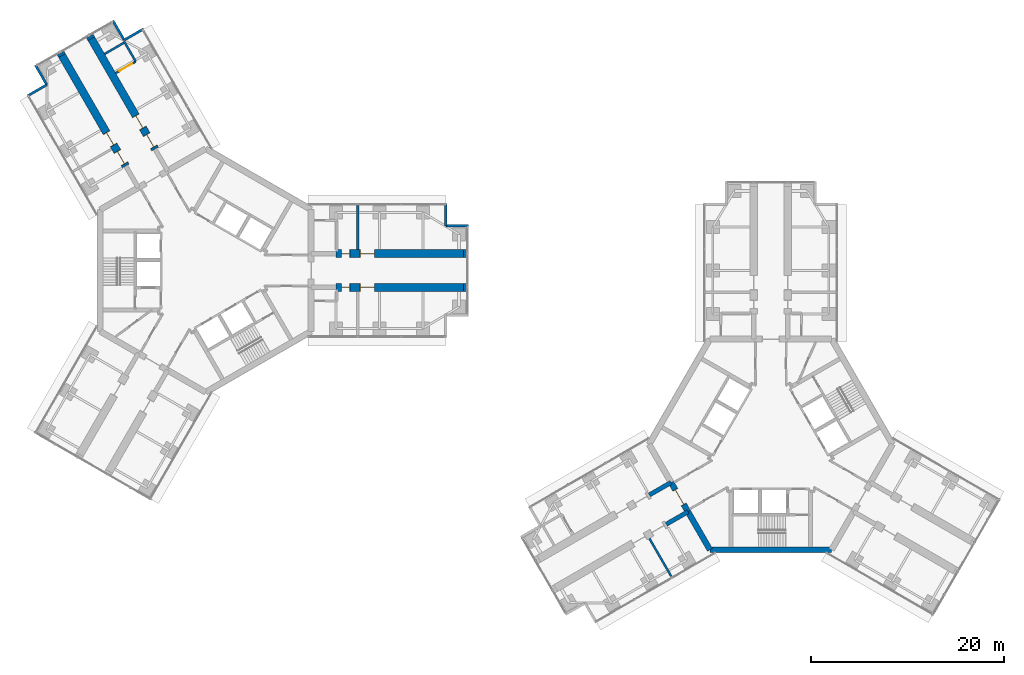
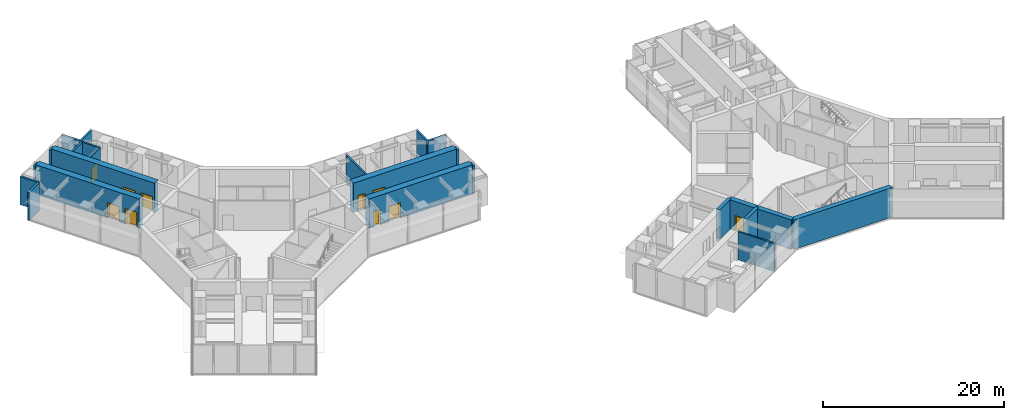
# One storey, part 17 of 21: 24 walls, 10 doors, 10 openings.
"""IFC4 building model written with IfcOpenShell, lengths in metres."""

from ifc_helpers import new_model, si_unit, direction, frame, frame_2d, origin, place, context, subcontext, project, spatial, rectangle, extrude, material, layer, layer_set, type_object, element, fill, save


model = new_model("IFC4")

# Units and contexts
model_context = context("Model", 3, precision=1e-05, world=origin(), true_north=direction((0.0, 1.0)))
body_context = subcontext(model_context, "Body", "Model", "MODEL_VIEW")
ifc_project = project(units=[si_unit("LENGTHUNIT", "METRE"), si_unit("AREAUNIT", "SQUARE_METRE"), si_unit("VOLUMEUNIT", "CUBIC_METRE"), si_unit("PLANEANGLEUNIT", "RADIAN"), si_unit("MASSUNIT", "GRAM", prefix="KILO")], contexts=[model_context])

# Site, building, storey
site_placement = place(None, origin())
site = spatial("IfcSite", under=ifc_project, at=site_placement, CompositionType="ELEMENT")
building_placement = place(site_placement, origin())
building = spatial("IfcBuilding", under=site, at=building_placement, Name="Upepo Twin Towers", CompositionType="ELEMENT")
storey_placement = place(building_placement, frame((0.0, 0.0, 105.5)))
storey = spatial("IfcBuildingStorey", under=building, at=storey_placement, Name="L25", CompositionType="ELEMENT", Elevation=105.5)

# Walls
ifc_material_1 = material(Name="Concrete blockwork, plastered both faces", Category="masonry")
ifc_layer_1 = layer(ifc_material_1, 0.215087890625)
ifc_layer_set_1 = layer_set([ifc_layer_1], Name="Blockwork partition 215")
wall_type_1 = type_object("IfcWallType", Name="Blockwork partition 215", PredefinedType="PARTITIONING", material=ifc_layer_set_1)
wall_1_placement = place(storey_placement, frame((15.75, 2.14990234375, 0.0), z_axis=(0.0, 0.0, 1.0), x_axis=(0.0, 1.0, 0.0)))
element("IfcWall", 1, at=wall_1_placement, inside=storey, type_object=wall_type_1, Name="T1 partition AL at 15.75", PredefinedType="PARTITIONING", context=body_context, shape_type="SweptSolid", body=[
    extrude(rectangle(XDim=4.60009765625, YDim=0.215087890625, at=frame_2d((2.300048828125, 0.0))), origin(), (0.0, 0.0, 1.0), 3.800048828125),
])
wall_2_placement = place(storey_placement, frame((-7.234619140625, 21.630615234375, 0.0), z_axis=(0.0, 0.0, 1.0), x_axis=(-0.499957262057, 0.866050077142, 0.0)))
element("IfcWall", 2, at=wall_2_placement, inside=storey, type_object=wall_type_1, Name="T1 inner room partition BR at 22.35", PredefinedType="PARTITIONING", context=body_context, shape_type="SweptSolid", body=[
    extrude(rectangle(XDim=2.400146484375, YDim=0.215087890625, at=frame_2d((1.2001953125, 0.0))), origin(), (0.0, 0.0, 1.0), 3.800048828125),
])

# Wall, opening, door
wall_3_placement = place(storey_placement, frame((-9.31298828125, 20.4306640625, 0.0), z_axis=(0.0, 0.0, 1.0), x_axis=(0.866024647952, 0.500001309137, 0.0)))
wall_3 = element("IfcWall", 3, at=wall_3_placement, inside=storey, type_object=wall_type_1, Name="T1 inner room partition BR end at 22.35", PredefinedType="PARTITIONING", context=body_context, shape_type="SweptSolid", body=[
    extrude(rectangle(XDim=2.39990234375, YDim=0.215087890625, at=frame_2d((1.199951171875, 0.0))), origin(), (0.0, 0.0, 1.0), 3.800048828125),
])
opening_1_placement = place(wall_3_placement, frame((0.449951171875, 0.0, 0.0)))
opening_1 = element("IfcOpeningElement", 4, at=opening_1_placement, cuts=wall_3, Name="Opening D13", PredefinedType="OPENING", context=body_context, shape_type="SweptSolid", body=[
    extrude(rectangle(XDim=1.5, YDim=2.10009765625, at=frame_2d((0.75, 1.050048828125))), frame((0.0, 0.117431640625, 0.0), z_axis=(0.0, -1.0, 0.0), x_axis=(1.0, 0.0, 0.0)), (0.0, 0.0, 1.0), 0.235107421875),
])
ifc_material_2 = material(Name="Timber doorset", Category="wood")
door_type_1 = type_object("IfcDoorType", Name="Double door 1500 FD30", OperationType="DOUBLE_DOOR_SINGLE_SWING", PredefinedType="DOOR", material=ifc_material_2)
door_1_placement = place(opening_1_placement, origin())
door_1 = element("IfcDoor", 5, at=door_1_placement, inside=storey, type_object=door_type_1, Name="T1 L25 inner room door", OperationType="DOUBLE_DOOR_SINGLE_SWING", OverallHeight=2.10009765625, OverallWidth=1.5, PredefinedType="DOOR", context=body_context, shape_type="SweptSolid", body=[
    extrude(rectangle(XDim=1.5, YDim=2.10009765625, at=frame_2d((0.75, 1.050048828125))), frame((0.0, 0.02490234375, 0.0), z_axis=(0.0, -1.0, 0.0), x_axis=(1.0, 0.0, 0.0)), (0.0, 0.0, 1.0), 0.050048828125),
])
fill(opening_1, door_1)

# Walls
wall_4_placement = place(storey_placement, frame((-10.459228515625, 22.416015625, 0.0), z_axis=(0.0, 0.0, 1.0), x_axis=(0.866024647952, 0.500001309137, 0.0)))
element("IfcWall", 6, at=wall_4_placement, inside=storey, type_object=wall_type_1, Name="T1 inner room partition BR end at 24.75", PredefinedType="PARTITIONING", context=body_context, shape_type="SweptSolid", body=[
    extrude(rectangle(XDim=2.39990234375, YDim=0.215087890625, at=frame_2d((1.199951171875, 0.0))), origin(), (0.0, 0.0, 1.0), 3.800048828125),
])
wall_5_placement = place(storey_placement, frame((45.93505859375, -27.737060546875, 0.0), z_axis=(0.0, 0.0, 1.0), x_axis=(0.500014953309, -0.866016770315, 0.0)))
element("IfcWall", 7, at=wall_5_placement, inside=storey, type_object=wall_type_1, Name="T2 partition BL at 15.75", PredefinedType="PARTITIONING", context=body_context, shape_type="SweptSolid", body=[
    extrude(rectangle(XDim=4.599853515625, YDim=0.215087890625, at=frame_2d((2.2998046875, 0.0))), origin(), (0.0, 0.0, 1.0), 3.800048828125),
])
ifc_material_3 = material(Name="Dense concrete blockwork", Category="masonry")
ifc_layer_2 = layer(ifc_material_3, 0.800048828125)
ifc_layer_set_2 = layer_set([ifc_layer_2], Name="Buttress closer 800, blockwork with fire-stopping to the curtain wall")
wall_type_2 = type_object("IfcWallType", Name="Buttress closer 800, blockwork with fire-stopping to the curtain wall", PredefinedType="PARTITIONING", material=ifc_layer_set_2)
for number, where, z_axis, x_axis, name in (
    (8, (26.699951171875, 1.75, 0.0), (0.0, 0.0, 1.0), (1.0, 0.0, 0.0), "T1 L25 wing A buttress closer L"),
    (9, (26.699951171875, -1.75, 0.0), (0.0, 0.0, 1.0), (1.0, 0.0, 0.0), "T1 L25 wing A buttress closer R"),
    (10, (-14.865478515625, 22.247802734375, 0.0), (0.0, 0.0, 1.0), (-0.500426713919, 0.865778900179, 0.0), "T1 L25 wing B buttress closer L"),
):
    element("IfcWall", number, at=place(storey_placement, frame(where, z_axis=z_axis, x_axis=x_axis)), inside=storey, type_object=wall_type_2, Name=name, PredefinedType="PARTITIONING", context=body_context, shape_type="SweptSolid", body=[
        extrude(rectangle(XDim=0.300048828125, YDim=0.800048828125, at=frame_2d((0.14990234375, 0.0))), origin(), (0.0, 0.0, 1.0), 3.800048828125),
    ])
wall_6_placement = place(storey_placement, frame((-11.83447265625, 23.997802734375, 0.0), z_axis=(0.0, 0.0, 1.0), x_axis=(-0.499816412211, 0.866131372301, 0.0)))
element("IfcWall", 11, at=wall_6_placement, inside=storey, type_object=wall_type_2, Name="T1 L25 wing B buttress closer R", PredefinedType="PARTITIONING", context=body_context, shape_type="SweptSolid", body=[
    extrude(rectangle(XDim=0.2998046875, YDim=0.800048828125, at=frame_2d((0.14990234375, 0.0))), origin(), (0.0, 0.0, 1.0), 3.800048828125),
])
ifc_material_4 = material(Name="Concrete C60/75", Category="concrete")
ifc_layer_3 = layer(ifc_material_4, 0.449951171875)
ifc_layer_set_3 = layer_set([ifc_layer_3], Name="Concrete C60/75")
wall_type_3 = type_object("IfcWallType", Name="Buttress wall 450 RC", PredefinedType="SHEAR", material=ifc_layer_set_3)
for number, where, z_axis, x_axis, name in (
    (12, (49.92822265625, -24.9697265625, 0.0), (0.0, 0.0, 1.0), (-0.866031863473, -0.499988811324, 0.0), "T2 wing B buttress wall L"),
    (13, (48.17822265625, -21.938720703125, 0.0), (0.0, 0.0, 1.0), (-0.866072649678, -0.499918158782, 0.0), "T2 wing B buttress wall R"),
):
    element("IfcWall", number, at=place(storey_placement, frame(where, z_axis=z_axis, x_axis=x_axis)), inside=storey, type_object=wall_type_3, Name=name, PredefinedType="SHEAR", context=body_context, shape_type="SweptSolid", body=[
        extrude(rectangle(XDim=2.591796875, YDim=0.449951171875, at=frame_2d((1.2958984375, 0.0))), origin(), (0.0, 0.0, 1.0), 4.0),
    ])

# Wall, openings, doors
ifc_material_5 = material(Name="Concrete C60/75", Category="concrete")
ifc_layer_4 = layer(ifc_material_5, 0.800048828125)
ifc_layer_set_4 = layer_set([ifc_layer_4], Name="Concrete C60/75")
wall_type_4 = type_object("IfcWallType", Name="Buttress wall 800 RC", PredefinedType="SHEAR", material=ifc_layer_set_4)
wall_7_placement = place(storey_placement, frame((13.5, 1.75, 0.0), z_axis=(0.0, 0.0, 1.0), x_axis=(1.0, 0.0, 0.0)))
wall_7 = element("IfcWall", 14, at=wall_7_placement, inside=storey, type_object=wall_type_4, Name="T1 wing A buttress wall L part 2", PredefinedType="SHEAR", context=body_context, shape_type="SweptSolid", body=[
    extrude(rectangle(XDim=13.199951171875, YDim=0.800048828125, at=frame_2d((6.60009765625, 0.0))), origin(), (0.0, 0.0, 1.0), 4.0),
])
opening_2_placement = place(wall_7_placement, frame((0.550048828125, 0.0, 0.0)))
opening_2 = element("IfcOpeningElement", 15, at=opening_2_placement, cuts=wall_7, Name="Opening D11", PredefinedType="OPENING", context=body_context, shape_type="SweptSolid", body=[
    extrude(rectangle(XDim=0.89990234375, YDim=2.10009765625, at=frame_2d((0.449951171875, 1.050048828125))), frame((0.0, 0.409912109375, 0.0), z_axis=(0.0, -1.0, 0.0), x_axis=(1.0, 0.0, 0.0)), (0.0, 0.0, 1.0), 0.820068359375),
])
opening_3_placement = place(wall_7_placement, frame((2.5, 0.0, 0.0)))
opening_3 = element("IfcOpeningElement", 16, at=opening_3_placement, cuts=wall_7, Name="Opening D13", PredefinedType="OPENING", context=body_context, shape_type="SweptSolid", body=[
    extrude(rectangle(XDim=1.5, YDim=2.10009765625, at=frame_2d((0.75, 1.050048828125))), frame((0.0, 0.409912109375, 0.0), z_axis=(0.0, -1.0, 0.0), x_axis=(1.0, 0.0, 0.0)), (0.0, 0.0, 1.0), 0.820068359375),
])
door_2_placement = place(opening_3_placement, origin())
door_2 = element("IfcDoor", 17, at=door_2_placement, inside=storey, type_object=door_type_1, Name="T1 L25 research laboratory door", OperationType="DOUBLE_DOOR_SINGLE_SWING", OverallHeight=2.10009765625, OverallWidth=1.5, PredefinedType="DOOR", context=body_context, shape_type="SweptSolid", body=[
    extrude(rectangle(XDim=1.42, YDim=2.06009765625, at=frame_2d((0.75, 1.030029296875))), frame((0.0, 0.02490234375, 0.0), z_axis=(0.0, -1.0, 0.0), x_axis=(1.0, 0.0, 0.0)), (0.0, 0.0, 1.0), 0.050048828125),
    extrude(rectangle(XDim=0.04, YDim=2.10009765625, at=frame_2d((0.02001953125, 1.050048828125))), frame((0.0, 0.39990234375, 0.0), z_axis=(0.0, -1.0, 0.0), x_axis=(1.0, 0.0, 0.0)), (0.0, 0.0, 1.0), 0.799560546875),
    extrude(rectangle(XDim=0.04, YDim=2.10009765625, at=frame_2d((1.47998046875, 1.050048828125))), frame((0.0, 0.39990234375, 0.0), z_axis=(0.0, -1.0, 0.0), x_axis=(1.0, 0.0, 0.0)), (0.0, 0.0, 1.0), 0.799560546875),
    extrude(rectangle(XDim=1.42, YDim=0.04, at=frame_2d((0.75, 2.080078125))), frame((0.0, 0.39990234375, 0.0), z_axis=(0.0, -1.0, 0.0), x_axis=(1.0, 0.0, 0.0)), (0.0, 0.0, 1.0), 0.799560546875),
])
fill(opening_3, door_2)
ifc_material_6 = material(Name="Timber doorset", Category="wood")
door_type_2 = type_object("IfcDoorType", Name="Toilet door 900", OperationType="SINGLE_SWING_LEFT", PredefinedType="DOOR", material=ifc_material_6)
door_3_placement = place(opening_2_placement, origin())
door_3 = element("IfcDoor", 18, at=door_3_placement, inside=storey, type_object=door_type_2, Name="T1 L25 accessible wc door", OperationType="SINGLE_SWING_LEFT", OverallHeight=2.10009765625, OverallWidth=0.89990234375, PredefinedType="DOOR", context=body_context, shape_type="SweptSolid", body=[
    extrude(rectangle(XDim=0.81990234375, YDim=2.06009765625, at=frame_2d((0.449951171875, 1.030029296875))), frame((0.0, 0.02490234375, 0.0), z_axis=(0.0, -1.0, 0.0), x_axis=(1.0, 0.0, 0.0)), (0.0, 0.0, 1.0), 0.050048828125),
    extrude(rectangle(XDim=0.04, YDim=2.10009765625, at=frame_2d((0.02001953125, 1.050048828125))), frame((0.0, 0.39990234375, 0.0), z_axis=(0.0, -1.0, 0.0), x_axis=(1.0, 0.0, 0.0)), (0.0, 0.0, 1.0), 0.799560546875),
    extrude(rectangle(XDim=0.04, YDim=2.10009765625, at=frame_2d((0.8798828125, 1.050048828125))), frame((0.0, 0.39990234375, 0.0), z_axis=(0.0, -1.0, 0.0), x_axis=(1.0, 0.0, 0.0)), (0.0, 0.0, 1.0), 0.799560546875),
    extrude(rectangle(XDim=0.81990234375, YDim=0.04, at=frame_2d((0.449951171875, 2.080078125))), frame((0.0, 0.39990234375, 0.0), z_axis=(0.0, -1.0, 0.0), x_axis=(1.0, 0.0, 0.0)), (0.0, 0.0, 1.0), 0.799560546875),
])
fill(opening_2, door_3)

wall_8_placement = place(storey_placement, frame((13.5, -1.75, 0.0), z_axis=(0.0, 0.0, 1.0), x_axis=(1.0, 0.0, 0.0)))
wall_8 = element("IfcWall", 19, at=wall_8_placement, inside=storey, type_object=wall_type_4, Name="T1 wing A buttress wall R part 2", PredefinedType="SHEAR", context=body_context, shape_type="SweptSolid", body=[
    extrude(rectangle(XDim=13.199951171875, YDim=0.800048828125, at=frame_2d((6.60009765625, 0.0))), origin(), (0.0, 0.0, 1.0), 4.0),
])
opening_4_placement = place(wall_8_placement, frame((0.550048828125, 0.0, 0.0)))
opening_4 = element("IfcOpeningElement", 20, at=opening_4_placement, cuts=wall_8, Name="Opening D11", PredefinedType="OPENING", context=body_context, shape_type="SweptSolid", body=[
    extrude(rectangle(XDim=0.89990234375, YDim=2.10009765625, at=frame_2d((0.449951171875, 1.050048828125))), frame((0.0, 0.409912109375, 0.0), z_axis=(0.0, -1.0, 0.0), x_axis=(1.0, 0.0, 0.0)), (0.0, 0.0, 1.0), 0.820068359375),
])
opening_5_placement = place(wall_8_placement, frame((2.5, 0.0, 0.0)))
opening_5 = element("IfcOpeningElement", 21, at=opening_5_placement, cuts=wall_8, Name="Opening D13", PredefinedType="OPENING", context=body_context, shape_type="SweptSolid", body=[
    extrude(rectangle(XDim=1.5, YDim=2.10009765625, at=frame_2d((0.75, 1.050048828125))), frame((0.0, 0.409912109375, 0.0), z_axis=(0.0, -1.0, 0.0), x_axis=(1.0, 0.0, 0.0)), (0.0, 0.0, 1.0), 0.820068359375),
])
door_4_placement = place(opening_5_placement, origin())
door_4 = element("IfcDoor", 22, at=door_4_placement, inside=storey, type_object=door_type_1, Name="T1 L25 research laboratory door", OperationType="DOUBLE_DOOR_SINGLE_SWING", OverallHeight=2.10009765625, OverallWidth=1.5, PredefinedType="DOOR", context=body_context, shape_type="SweptSolid", body=[
    extrude(rectangle(XDim=1.42, YDim=2.06009765625, at=frame_2d((0.75, 1.030029296875))), frame((0.0, 0.02490234375, 0.0), z_axis=(0.0, -1.0, 0.0), x_axis=(1.0, 0.0, 0.0)), (0.0, 0.0, 1.0), 0.050048828125),
    extrude(rectangle(XDim=0.04, YDim=2.10009765625, at=frame_2d((0.02001953125, 1.050048828125))), frame((0.0, 0.39990234375, 0.0), z_axis=(0.0, -1.0, 0.0), x_axis=(1.0, 0.0, 0.0)), (0.0, 0.0, 1.0), 0.799560546875),
    extrude(rectangle(XDim=0.04, YDim=2.10009765625, at=frame_2d((1.47998046875, 1.050048828125))), frame((0.0, 0.39990234375, 0.0), z_axis=(0.0, -1.0, 0.0), x_axis=(1.0, 0.0, 0.0)), (0.0, 0.0, 1.0), 0.799560546875),
    extrude(rectangle(XDim=1.42, YDim=0.04, at=frame_2d((0.75, 2.080078125))), frame((0.0, 0.39990234375, 0.0), z_axis=(0.0, -1.0, 0.0), x_axis=(1.0, 0.0, 0.0)), (0.0, 0.0, 1.0), 0.799560546875),
])
fill(opening_5, door_4)
door_5_placement = place(opening_4_placement, origin())
door_5 = element("IfcDoor", 23, at=door_5_placement, inside=storey, type_object=door_type_2, Name="T1 L25 toilets door", OperationType="SINGLE_SWING_LEFT", OverallHeight=2.10009765625, OverallWidth=0.89990234375, PredefinedType="DOOR", context=body_context, shape_type="SweptSolid", body=[
    extrude(rectangle(XDim=0.81990234375, YDim=2.06009765625, at=frame_2d((0.449951171875, 1.030029296875))), frame((0.0, 0.02490234375, 0.0), z_axis=(0.0, -1.0, 0.0), x_axis=(1.0, 0.0, 0.0)), (0.0, 0.0, 1.0), 0.050048828125),
    extrude(rectangle(XDim=0.04, YDim=2.10009765625, at=frame_2d((0.02001953125, 1.050048828125))), frame((0.0, 0.39990234375, 0.0), z_axis=(0.0, -1.0, 0.0), x_axis=(1.0, 0.0, 0.0)), (0.0, 0.0, 1.0), 0.799560546875),
    extrude(rectangle(XDim=0.04, YDim=2.10009765625, at=frame_2d((0.8798828125, 1.050048828125))), frame((0.0, 0.39990234375, 0.0), z_axis=(0.0, -1.0, 0.0), x_axis=(1.0, 0.0, 0.0)), (0.0, 0.0, 1.0), 0.799560546875),
    extrude(rectangle(XDim=0.81990234375, YDim=0.04, at=frame_2d((0.449951171875, 2.080078125))), frame((0.0, 0.39990234375, 0.0), z_axis=(0.0, -1.0, 0.0), x_axis=(1.0, 0.0, 0.0)), (0.0, 0.0, 1.0), 0.799560546875),
])
fill(opening_4, door_5)

wall_9_placement = place(storey_placement, frame((-8.265625, 10.81640625, 0.0), z_axis=(0.0, 0.0, 1.0), x_axis=(-0.499996231654, 0.866027579429, 0.0)))
wall_9 = element("IfcWall", 24, at=wall_9_placement, inside=storey, type_object=wall_type_4, Name="T1 wing B buttress wall L part 2", PredefinedType="SHEAR", context=body_context, shape_type="SweptSolid", body=[
    extrude(rectangle(XDim=13.19970703125, YDim=0.800048828125, at=frame_2d((6.599853515625, 0.0))), origin(), (0.0, 0.0, 1.0), 4.0),
])
opening_6_placement = place(wall_9_placement, frame((0.25, 0.0, 0.0)))
opening_6 = element("IfcOpeningElement", 25, at=opening_6_placement, cuts=wall_9, Name="Opening D13", PredefinedType="OPENING", context=body_context, shape_type="SweptSolid", body=[
    extrude(rectangle(XDim=1.5, YDim=2.10009765625, at=frame_2d((0.75, 1.050048828125))), frame((0.0, 0.409912109375, 0.0), z_axis=(0.0, -1.0, 0.0), x_axis=(1.0, 0.0, 0.0)), (0.0, 0.0, 1.0), 0.820068359375),
])
opening_7_placement = place(wall_9_placement, frame((2.5, 0.0, 0.0)))
opening_7 = element("IfcOpeningElement", 26, at=opening_7_placement, cuts=wall_9, Name="Opening D13", PredefinedType="OPENING", context=body_context, shape_type="SweptSolid", body=[
    extrude(rectangle(XDim=1.5, YDim=2.10009765625, at=frame_2d((0.75, 1.050048828125))), frame((0.0, 0.409912109375, 0.0), z_axis=(0.0, -1.0, 0.0), x_axis=(1.0, 0.0, 0.0)), (0.0, 0.0, 1.0), 0.820068359375),
])
door_6_placement = place(opening_6_placement, origin())
door_6 = element("IfcDoor", 27, at=door_6_placement, inside=storey, type_object=door_type_1, Name="T1 L25 instrument room door", OperationType="DOUBLE_DOOR_SINGLE_SWING", OverallHeight=2.10009765625, OverallWidth=1.5, PredefinedType="DOOR", context=body_context, shape_type="SweptSolid", body=[
    extrude(rectangle(XDim=1.42, YDim=2.06009765625, at=frame_2d((0.75, 1.030029296875))), frame((0.0, 0.02490234375, 0.0), z_axis=(0.0, -1.0, 0.0), x_axis=(1.0, 0.0, 0.0)), (0.0, 0.0, 1.0), 0.050048828125),
    extrude(rectangle(XDim=0.04, YDim=2.10009765625, at=frame_2d((0.02001953125, 1.050048828125))), frame((0.0, 0.39990234375, 0.0), z_axis=(0.0, -1.0, 0.0), x_axis=(1.0, 0.0, 0.0)), (0.0, 0.0, 1.0), 0.799560546875),
    extrude(rectangle(XDim=0.04, YDim=2.10009765625, at=frame_2d((1.47998046875, 1.050048828125))), frame((0.0, 0.39990234375, 0.0), z_axis=(0.0, -1.0, 0.0), x_axis=(1.0, 0.0, 0.0)), (0.0, 0.0, 1.0), 0.799560546875),
    extrude(rectangle(XDim=1.42, YDim=0.04, at=frame_2d((0.75, 2.080078125))), frame((0.0, 0.39990234375, 0.0), z_axis=(0.0, -1.0, 0.0), x_axis=(1.0, 0.0, 0.0)), (0.0, 0.0, 1.0), 0.799560546875),
])
fill(opening_6, door_6)
door_7_placement = place(opening_7_placement, origin())
door_7 = element("IfcDoor", 28, at=door_7_placement, inside=storey, type_object=door_type_1, Name="T1 L25 research laboratory door", OperationType="DOUBLE_DOOR_SINGLE_SWING", OverallHeight=2.10009765625, OverallWidth=1.5, PredefinedType="DOOR", context=body_context, shape_type="SweptSolid", body=[
    extrude(rectangle(XDim=1.42, YDim=2.06009765625, at=frame_2d((0.75, 1.030029296875))), frame((0.0, 0.02490234375, 0.0), z_axis=(0.0, -1.0, 0.0), x_axis=(1.0, 0.0, 0.0)), (0.0, 0.0, 1.0), 0.050048828125),
    extrude(rectangle(XDim=0.04, YDim=2.10009765625, at=frame_2d((0.02001953125, 1.050048828125))), frame((0.0, 0.39990234375, 0.0), z_axis=(0.0, -1.0, 0.0), x_axis=(1.0, 0.0, 0.0)), (0.0, 0.0, 1.0), 0.799560546875),
    extrude(rectangle(XDim=0.04, YDim=2.10009765625, at=frame_2d((1.47998046875, 1.050048828125))), frame((0.0, 0.39990234375, 0.0), z_axis=(0.0, -1.0, 0.0), x_axis=(1.0, 0.0, 0.0)), (0.0, 0.0, 1.0), 0.799560546875),
    extrude(rectangle(XDim=1.42, YDim=0.04, at=frame_2d((0.75, 2.080078125))), frame((0.0, 0.39990234375, 0.0), z_axis=(0.0, -1.0, 0.0), x_axis=(1.0, 0.0, 0.0)), (0.0, 0.0, 1.0), 0.799560546875),
])
fill(opening_7, door_7)

wall_10_placement = place(storey_placement, frame((-5.234375, 12.56640625, 0.0), z_axis=(0.0, 0.0, 1.0), x_axis=(-0.500010103361, 0.866019570528, 0.0)))
wall_10 = element("IfcWall", 29, at=wall_10_placement, inside=storey, type_object=wall_type_4, Name="T1 wing B buttress wall R part 2", PredefinedType="SHEAR", context=body_context, shape_type="SweptSolid", body=[
    extrude(rectangle(XDim=13.199951171875, YDim=0.800048828125, at=frame_2d((6.60009765625, 0.0))), origin(), (0.0, 0.0, 1.0), 4.0),
])
opening_8_placement = place(wall_10_placement, frame((0.25, 0.0, 0.0)))
opening_8 = element("IfcOpeningElement", 30, at=opening_8_placement, cuts=wall_10, Name="Opening D13", PredefinedType="OPENING", context=body_context, shape_type="SweptSolid", body=[
    extrude(rectangle(XDim=1.5, YDim=2.10009765625, at=frame_2d((0.75, 1.050048828125))), frame((0.0, 0.409912109375, 0.0), z_axis=(0.0, -1.0, 0.0), x_axis=(1.0, 0.0, 0.0)), (0.0, 0.0, 1.0), 0.820068359375),
])
opening_9_placement = place(wall_10_placement, frame((2.5, 0.0, 0.0)))
opening_9 = element("IfcOpeningElement", 31, at=opening_9_placement, cuts=wall_10, Name="Opening D13", PredefinedType="OPENING", context=body_context, shape_type="SweptSolid", body=[
    extrude(rectangle(XDim=1.5, YDim=2.10009765625, at=frame_2d((0.75, 1.050048828125))), frame((0.0, 0.409912109375, 0.0), z_axis=(0.0, -1.0, 0.0), x_axis=(1.0, 0.0, 0.0)), (0.0, 0.0, 1.0), 0.820068359375),
])
door_8_placement = place(opening_8_placement, origin())
door_8 = element("IfcDoor", 32, at=door_8_placement, inside=storey, type_object=door_type_1, Name="T1 L25 research laboratory door", OperationType="DOUBLE_DOOR_SINGLE_SWING", OverallHeight=2.10009765625, OverallWidth=1.5, PredefinedType="DOOR", context=body_context, shape_type="SweptSolid", body=[
    extrude(rectangle(XDim=1.42, YDim=2.06009765625, at=frame_2d((0.75, 1.030029296875))), frame((0.0, 0.02490234375, 0.0), z_axis=(0.0, -1.0, 0.0), x_axis=(1.0, 0.0, 0.0)), (0.0, 0.0, 1.0), 0.050048828125),
    extrude(rectangle(XDim=0.04, YDim=2.10009765625, at=frame_2d((0.02001953125, 1.050048828125))), frame((0.0, 0.39990234375, 0.0), z_axis=(0.0, -1.0, 0.0), x_axis=(1.0, 0.0, 0.0)), (0.0, 0.0, 1.0), 0.799560546875),
    extrude(rectangle(XDim=0.04, YDim=2.10009765625, at=frame_2d((1.47998046875, 1.050048828125))), frame((0.0, 0.39990234375, 0.0), z_axis=(0.0, -1.0, 0.0), x_axis=(1.0, 0.0, 0.0)), (0.0, 0.0, 1.0), 0.799560546875),
    extrude(rectangle(XDim=1.42, YDim=0.04, at=frame_2d((0.75, 2.080078125))), frame((0.0, 0.39990234375, 0.0), z_axis=(0.0, -1.0, 0.0), x_axis=(1.0, 0.0, 0.0)), (0.0, 0.0, 1.0), 0.799560546875),
])
fill(opening_8, door_8)
door_9_placement = place(opening_9_placement, origin())
door_9 = element("IfcDoor", 33, at=door_9_placement, inside=storey, type_object=door_type_1, Name="T1 L25 research laboratory door", OperationType="DOUBLE_DOOR_SINGLE_SWING", OverallHeight=2.10009765625, OverallWidth=1.5, PredefinedType="DOOR", context=body_context, shape_type="SweptSolid", body=[
    extrude(rectangle(XDim=1.42, YDim=2.06009765625, at=frame_2d((0.75, 1.030029296875))), frame((0.0, 0.02490234375, 0.0), z_axis=(0.0, -1.0, 0.0), x_axis=(1.0, 0.0, 0.0)), (0.0, 0.0, 1.0), 0.050048828125),
    extrude(rectangle(XDim=0.04, YDim=2.10009765625, at=frame_2d((0.02001953125, 1.050048828125))), frame((0.0, 0.39990234375, 0.0), z_axis=(0.0, -1.0, 0.0), x_axis=(1.0, 0.0, 0.0)), (0.0, 0.0, 1.0), 0.799560546875),
    extrude(rectangle(XDim=0.04, YDim=2.10009765625, at=frame_2d((1.47998046875, 1.050048828125))), frame((0.0, 0.39990234375, 0.0), z_axis=(0.0, -1.0, 0.0), x_axis=(1.0, 0.0, 0.0)), (0.0, 0.0, 1.0), 0.799560546875),
    extrude(rectangle(XDim=1.42, YDim=0.04, at=frame_2d((0.75, 2.080078125))), frame((0.0, 0.39990234375, 0.0), z_axis=(0.0, -1.0, 0.0), x_axis=(1.0, 0.0, 0.0)), (0.0, 0.0, 1.0), 0.799560546875),
])
fill(opening_9, door_9)

# Wall, opening, door
ifc_material_7 = material(Name="Concrete C60/75", Category="concrete")
ifc_layer_5 = layer(ifc_material_7, 0.60009765625)
ifc_layer_set_5 = layer_set([ifc_layer_5], Name="Concrete C60/75")
wall_type_5 = type_object("IfcWallType", Name="Core wall 600 RC", PredefinedType="SHEAR", material=ifc_layer_set_5)
wall_11_placement = place(storey_placement, frame((48.17822265625, -21.938720703125, 0.0), z_axis=(0.0, 0.0, 1.0), x_axis=(0.500010275428, -0.866019471182, 0.0)))
wall_11 = element("IfcWall", 34, at=wall_11_placement, inside=storey, type_object=wall_type_5, Name="T2 core wall 120", PredefinedType="SHEAR", context=body_context, shape_type="SweptSolid", body=[
    extrude(rectangle(XDim=3.5, YDim=0.60009765625, at=frame_2d((1.75, 0.0))), origin(), (0.0, 0.0, 1.0), 4.0),
])
opening_10_placement = place(wall_11_placement, frame((0.85009765625, 0.0, 0.0)))
opening_10 = element("IfcOpeningElement", 35, at=opening_10_placement, cuts=wall_11, Name="Opening D2", PredefinedType="OPENING", context=body_context, shape_type="SweptSolid", body=[
    extrude(rectangle(XDim=1.800048828125, YDim=2.10009765625, at=frame_2d((0.89990234375, 1.050048828125))), frame((0.0, 0.31005859375, 0.0), z_axis=(0.0, -1.0, 0.0), x_axis=(1.0, 0.0, 0.0)), (0.0, 0.0, 1.0), 0.6201171875),
])
ifc_material_8 = material(Name="Timber doorset", Category="wood")
door_type_3 = type_object("IfcDoorType", Name="Corridor double door 1800 FD60", OperationType="DOUBLE_DOOR_DOUBLE_SWING", PredefinedType="DOOR", material=ifc_material_8)
door_10_placement = place(opening_10_placement, origin())
door_10 = element("IfcDoor", 36, at=door_10_placement, inside=storey, type_object=door_type_3, Name="T2 L25 wing B corridor door", OperationType="DOUBLE_DOOR_DOUBLE_SWING", OverallHeight=2.10009765625, OverallWidth=1.800048828125, PredefinedType="DOOR", context=body_context, shape_type="SweptSolid", body=[
    extrude(rectangle(XDim=1.720048828125, YDim=2.06009765625, at=frame_2d((0.89990234375, 1.030029296875))), frame((0.0, 0.02490234375, 0.0), z_axis=(0.0, -1.0, 0.0), x_axis=(1.0, 0.0, 0.0)), (0.0, 0.0, 1.0), 0.050048828125),
    extrude(rectangle(XDim=0.04, YDim=2.10009765625, at=frame_2d((0.02001953125, 1.050048828125))), frame((0.0, 0.2998046875, 0.0), z_axis=(0.0, -1.0, 0.0), x_axis=(1.0, 0.0, 0.0)), (0.0, 0.0, 1.0), 0.599609375),
    extrude(rectangle(XDim=0.04, YDim=2.10009765625, at=frame_2d((1.780029296875, 1.050048828125))), frame((0.0, 0.2998046875, 0.0), z_axis=(0.0, -1.0, 0.0), x_axis=(1.0, 0.0, 0.0)), (0.0, 0.0, 1.0), 0.599609375),
    extrude(rectangle(XDim=1.720048828125, YDim=0.04, at=frame_2d((0.89990234375, 2.080078125))), frame((0.0, 0.2998046875, 0.0), z_axis=(0.0, -1.0, 0.0), x_axis=(1.0, 0.0, 0.0)), (0.0, 0.0, 1.0), 0.599609375),
])
fill(opening_10, door_10)

# Walls
wall_12_placement = place(storey_placement, frame((49.92822265625, -24.9697265625, 0.0), z_axis=(0.0, 0.0, 1.0), x_axis=(0.499984222037, -0.866034513004, 0.0)))
element("IfcWall", 37, at=wall_12_placement, inside=storey, type_object=wall_type_5, Name="T2 core wall 120 L", PredefinedType="SHEAR", context=body_context, shape_type="SweptSolid", body=[
    extrude(rectangle(XDim=4.548095703125, YDim=0.60009765625, at=frame_2d((2.27392578125, 0.0))), origin(), (0.0, 0.0, 1.0), 4.0),
])
wall_13_placement = place(storey_placement, frame((52.2021484375, -28.908447265625, 0.0), z_axis=(0.0, 0.0, 1.0), x_axis=(1.0, 0.0, 0.0)))
element("IfcWall", 38, at=wall_13_placement, inside=storey, type_object=wall_type_5, Name="T2 core wall 180", PredefinedType="SHEAR", context=body_context, shape_type="SweptSolid", body=[
    extrude(rectangle(XDim=12.595703125, YDim=0.60009765625, at=frame_2d((6.2978515625, 0.0))), origin(), (0.0, 0.0, 1.0), 4.0),
])
ifc_material_9 = material(Name="Blockwork with anodised aluminium cladding", Category="masonry")
ifc_layer_6 = layer(ifc_material_9, 0.25)
ifc_layer_set_6 = layer_set([ifc_layer_6], Name="Notch cladding wall 250, pale metal")
wall_type_6 = type_object("IfcWallType", Name="Notch cladding wall 250, pale metal", PredefinedType="STANDARD", material=ifc_layer_set_6)
for number, where, z_axis, x_axis, name in (
    (39, (24.875, 6.949951171875, 0.0), (0.0, 0.0, 1.0), (0.0, -1.0, 0.0), "T1 L25 wing A notch wall L1"),
    (40, (24.875, 4.625, 0.0), (0.0, 0.0, 1.0), (1.0, 0.0, 0.0), "T1 L25 wing A notch wall L2"),
    (41, (-18.456298828125, 18.0673828125, 0.0), (0.0, 0.0, 1.0), (0.865998469481, 0.500046648681, 0.0), "T1 L25 wing B notch wall L1"),
    (42, (-16.44287109375, 19.22998046875, 0.0), (0.0, 0.0, 1.0), (-0.500046648681, 0.865998469481, 0.0), "T1 L25 wing B notch wall L2"),
    (43, (-6.418701171875, 25.017333984375, 0.0), (0.0, 0.0, 1.0), (-0.866043940782, -0.499967891604, 0.0), "T1 L25 wing B notch wall R1"),
    (44, (-8.43212890625, 23.85498046875, 0.0), (0.0, 0.0, 1.0), (-0.500046648681, 0.865998469481, 0.0), "T1 L25 wing B notch wall R2"),
):
    element("IfcWall", number, at=place(storey_placement, frame(where, z_axis=z_axis, x_axis=x_axis)), inside=storey, type_object=wall_type_6, Name=name, PredefinedType="STANDARD", context=body_context, shape_type="SweptSolid", body=[
        extrude(rectangle(XDim=2.324951171875, YDim=0.25, at=frame_2d((1.16259765625, 0.0))), origin(), (0.0, 0.0, 1.0), 3.800048828125),
    ])

save(model, "model.ifc")
